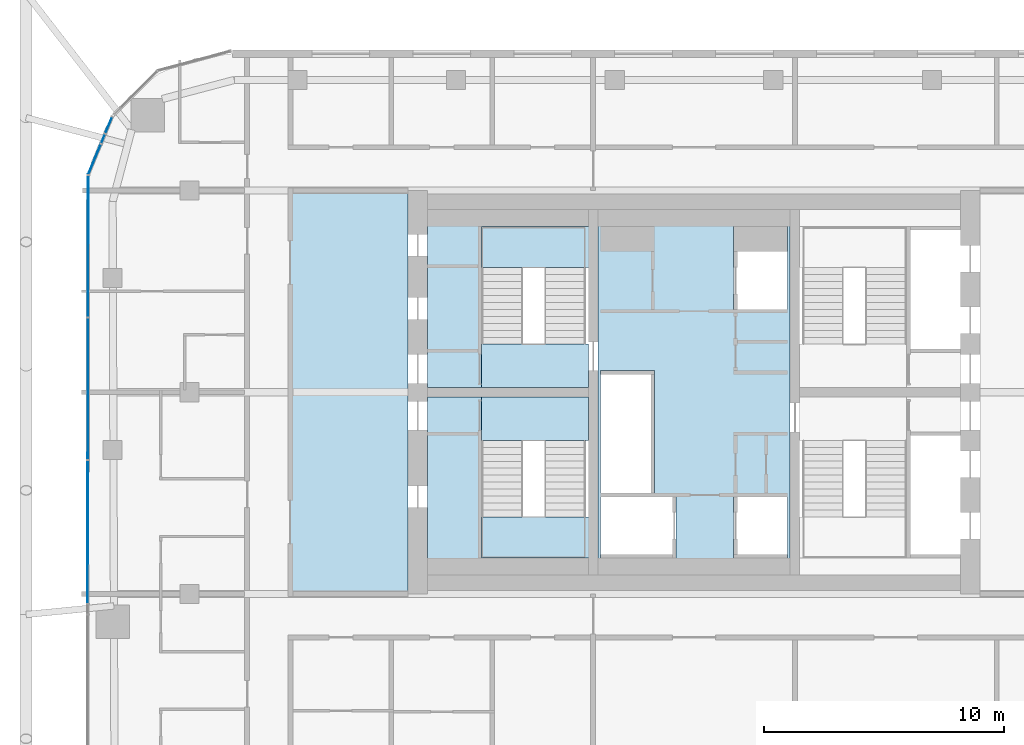
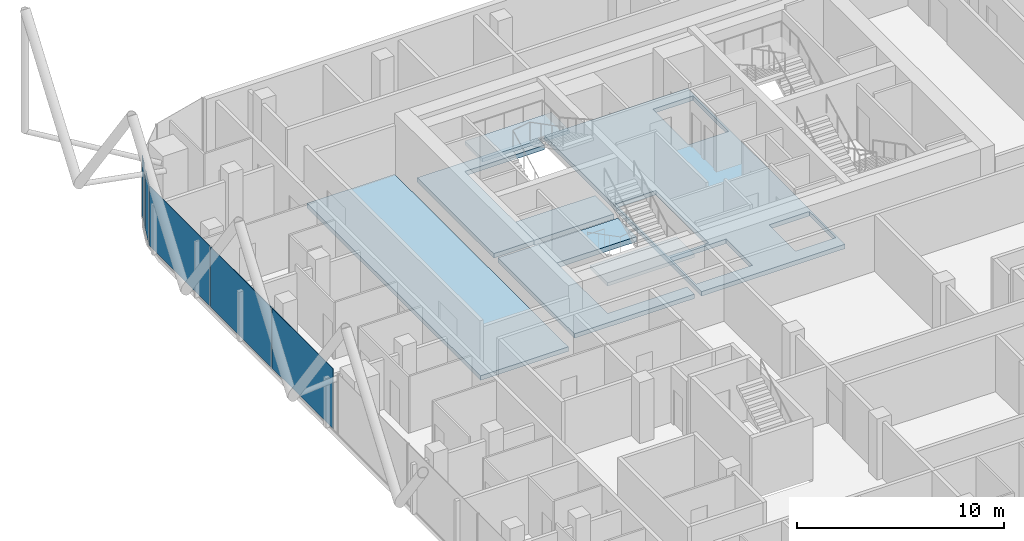
# One storey, part 19 of 31: 8 slabs, 6 plates, 6 elements without a shape of their own.
"""IFC4 building model written with IfcOpenShell, lengths in metres."""

from ifc_helpers import new_model, si_unit, direction, frame, origin, origin_2d, place, context, subcontext, project, spatial, polyline, rectangle, outline, extrude, material, layer, layer_set, type_object, element, aggregate, save


model = new_model("IFC4")

# Units and contexts
model_context = context("Model", 3, precision=1e-05, world=origin(), true_north=direction((0.0, 1.0)))
body_context = subcontext(model_context, "Body", "Model", "MODEL_VIEW")
ifc_project = project(units=[si_unit("LENGTHUNIT", "METRE"), si_unit("AREAUNIT", "SQUARE_METRE"), si_unit("VOLUMEUNIT", "CUBIC_METRE"), si_unit("PLANEANGLEUNIT", "RADIAN"), si_unit("MASSUNIT", "GRAM", prefix="KILO")], contexts=[model_context])

# Site, building, storey
site_placement = place(None, origin())
site = spatial("IfcSite", under=ifc_project, at=site_placement, CompositionType="ELEMENT")
building_placement = place(site_placement, origin())
building = spatial("IfcBuilding", under=site, at=building_placement, Name="Marenta Gate Hotel Tower", CompositionType="ELEMENT")
storey_placement = place(building_placement, frame((0.0, 0.0, 205.699951171875)))
storey = spatial("IfcBuildingStorey", under=building, at=storey_placement, Name="L47", CompositionType="ELEMENT", Elevation=205.699951171875)

# Slabs
ifc_material_1 = material(Name="Concrete C40", Category="concrete")
ifc_layer_1 = layer(ifc_material_1, 0.260009765625)
ifc_layer_set_1 = layer_set([ifc_layer_1], Name="Concrete C40")
slab_type_1 = type_object("IfcSlabType", Name="Core floor slab 260", PredefinedType="FLOOR", material=ifc_layer_set_1)
slab_1_placement = place(storey_placement, frame((0.0, 0.0, -0.260009765625)))
element("IfcSlab", 1, at=slab_1_placement, inside=storey, type_object=slab_type_1, Name="L47-CF-4", PredefinedType="FLOOR", context=body_context, shape_type="SweptSolid", body=[
    extrude(outline(polyline([(4.0, 15.300048828125), (4.0, 10.39990234375), (4.0, 6.39990234375), (4.0, 1.5), (4.0, 0.800048828125), (-4.0, 0.800048828125), (-4.0, 1.5), (-4.0, 6.39990234375), (-4.0, 10.39990234375), (-4.0, 15.300048828125), (-4.0, 16.0), (4.0, 16.0), (4.0, 15.300048828125)]), holes=[polyline([(1.64990234375, 14.25), (1.64990234375, 11.85009765625), (1.800048828125, 11.85009765625), (3.89990234375, 11.85009765625), (3.89990234375, 14.25), (3.89990234375, 15.300048828125), (1.64990234375, 15.300048828125), (1.64990234375, 14.25)]), polyline([(3.89990234375, 1.64990234375), (3.89990234375, 4.050048828125), (1.800048828125, 4.050048828125), (1.64990234375, 4.050048828125), (1.64990234375, 1.64990234375), (1.64990234375, 1.5), (3.89990234375, 1.5), (3.89990234375, 1.64990234375)]), polyline([(-3.89990234375, 1.64990234375), (-3.89990234375, 1.5), (-0.89990234375, 1.5), (-0.75, 1.5), (-0.75, 4.050048828125), (-0.89990234375, 4.050048828125), (-3.89990234375, 4.050048828125), (-3.89990234375, 1.64990234375)]), polyline([(-1.800048828125, 4.199951171875), (-1.64990234375, 4.199951171875), (-1.64990234375, 9.14990234375), (-1.64990234375, 9.300048828125), (-3.89990234375, 9.300048828125), (-3.89990234375, 9.14990234375), (-3.89990234375, 6.75), (-3.89990234375, 6.60009765625), (-3.89990234375, 4.199951171875), (-1.800048828125, 4.199951171875)])]), origin(), (0.0, 0.0, 1.0), 0.260009765625),
])
slab_2_placement = place(storey_placement, frame((0.0, 0.0, -0.260009765625)))
element("IfcSlab", 2, at=slab_2_placement, inside=storey, type_object=slab_type_1, Name="L47-CF-5", PredefinedType="FLOOR", context=body_context, shape_type="SweptSolid", body=[
    extrude(outline(polyline([(-8.85009765625, 8.199951171875), (-8.85009765625, 8.10009765625), (-8.85009765625, 6.39990234375), (-8.85009765625, 1.5), (-4.39990234375, 1.5), (-4.39990234375, 0.800048828125), (-11.10009765625, 0.800048828125), (-11.10009765625, 8.199951171875), (-8.85009765625, 8.199951171875)])), origin(), (0.0, 0.0, 1.0), 0.260009765625),
])
slab_3_placement = place(storey_placement, frame((0.0, 0.0, -0.260009765625)))
element("IfcSlab", 3, at=slab_3_placement, inside=storey, type_object=slab_type_1, Name="L47-CF-6", PredefinedType="FLOOR", context=body_context, shape_type="SweptSolid", body=[
    extrude(outline(polyline([(-4.39990234375, 15.300048828125), (-8.85009765625, 15.300048828125), (-8.85009765625, 10.39990234375), (-8.85009765625, 8.699951171875), (-8.85009765625, 8.60009765625), (-11.10009765625, 8.60009765625), (-11.10009765625, 16.0), (-4.39990234375, 16.0), (-4.39990234375, 15.300048828125)])), origin(), (0.0, 0.0, 1.0), 0.260009765625),
])
slab_4_placement = place(storey_placement, frame((0.0, 0.0, -0.260009765625)))
element("IfcSlab", 4, at=slab_4_placement, inside=storey, type_object=slab_type_1, Name="L47-CF-7", PredefinedType="FLOOR", context=body_context, shape_type="SweptSolid", body=[
    extrude(outline(polyline([(-11.89990234375, 16.800048828125), (-11.89990234375, 0.0), (-16.800048828125, 0.0), (-16.800048828125, 16.800048828125), (-11.89990234375, 16.800048828125)])), origin(), (0.0, 0.0, 1.0), 0.260009765625),
])

# Stair, slab
ifc_material_2 = material(Name="Concrete C40", Category="concrete")
stair_type = type_object("IfcStairType", Name="Core exit stair 1700 wide", PredefinedType="HALF_TURN_STAIR", material=ifc_material_2)
stair_1_placement = place(storey_placement, origin())
stair_1 = element("IfcStair", 5, at=stair_1_placement, inside=storey, type_object=stair_type, Name="Exit stair 1", PredefinedType="HALF_TURN_STAIR")
ifc_material_3 = material(Name="Concrete C40", Category="concrete")
ifc_layer_2 = layer(ifc_material_3, 0.199951171875)
ifc_layer_set_2 = layer_set([ifc_layer_2], Name="Concrete C40")
slab_type_2 = type_object("IfcSlabType", Name="Core stair landing 200", PredefinedType="LANDING", material=ifc_layer_set_2)
slab_5_placement = place(storey_placement, frame((0.0, 0.0, 1.60009765625)))
slab_5 = element("IfcSlab", 6, at=slab_5_placement, type_object=slab_type_2, Name="SL-200 ST1 landing 1", PredefinedType="LANDING", context=body_context, shape_type="SweptSolid", body=[
    extrude(outline(polyline([(-8.85009765625, 1.5), (-4.0, 1.5), (-4.0, 3.2099609375), (-8.85009765625, 3.2099609375), (-8.85009765625, 1.5)])), origin(), (0.0, 0.0, 1.0), 0.199951171875),
])
aggregate(stair_1, [slab_5])

stair_2_placement = place(storey_placement, origin())
stair_2 = element("IfcStair", 7, at=stair_2_placement, inside=storey, type_object=stair_type, Name="Exit stair 2", PredefinedType="HALF_TURN_STAIR")
slab_6_placement = place(storey_placement, frame((0.0, 0.0, 1.60009765625)))
slab_6 = element("IfcSlab", 8, at=slab_6_placement, type_object=slab_type_2, Name="SL-200 ST2 landing 1", PredefinedType="LANDING", context=body_context, shape_type="SweptSolid", body=[
    extrude(outline(polyline([(-8.85009765625, 13.590087890625), (-4.0, 13.590087890625), (-4.0, 15.300048828125), (-8.85009765625, 15.300048828125), (-8.85009765625, 13.590087890625)])), origin(), (0.0, 0.0, 1.0), 0.199951171875),
])
aggregate(stair_2, [slab_6])

# Curtain wall, plate
ifc_material_4 = material(Name="Tinted insulated glass in bronze anodised frame", Category="glass")
ifc_layer_3 = layer(ifc_material_4, 0.1201171875)
ifc_layer_set_3 = layer_set([ifc_layer_3], Name="Tinted insulated glass in bronze anodised frame")
curtain_wall_type = type_object("IfcCurtainWallType", Name="Tower unitised curtain wall CW1", PredefinedType="NOTDEFINED", material=ifc_layer_set_3)
curtain_wall_1_placement = place(storey_placement, origin())
curtain_wall_1 = element("IfcCurtainWall", 9, at=curtain_wall_1_placement, inside=storey, type_object=curtain_wall_type, Name="CW1 run G03", PredefinedType="NOTDEFINED")
ifc_material_5 = material(Name="Tinted insulated glass", Category="glass")
ifc_layer_4 = layer(ifc_material_5, 0.028076171875)
ifc_layer_set_4 = layer_set([ifc_layer_4], Name="Tinted insulated glass")
plate_type = type_object("IfcPlateType", Name="Glass panel CW1 28 mm tinted insulated unit", PredefinedType="CURTAIN_PANEL", material=ifc_layer_set_4)
plate_1_placement = place(storey_placement, frame((-24.3623046875, 19.5185546875, 0.06005859375), z_axis=(0.0, 0.0, 1.0), x_axis=(-0.382711777204, -0.923867791185, 0.0)))
plate_1 = element("IfcPlate", 10, at=plate_1_placement, type_object=plate_type, Name="CW1 panel 1.1", PredefinedType="CURTAIN_PANEL", context=body_context, shape_type="SweptSolid", body=[
    extrude(rectangle(XDim=0.708740234375, YDim=0.028076171875, at=origin_2d()), origin(), (0.0, 0.0, 1.0), 3.5400390625),
])
aggregate(curtain_wall_1, [plate_1])

curtain_wall_2_placement = place(storey_placement, origin())
curtain_wall_2 = element("IfcCurtainWall", 11, at=curtain_wall_2_placement, inside=storey, type_object=curtain_wall_type, Name="CW1 run G04", PredefinedType="NOTDEFINED")
plate_2_placement = place(storey_placement, frame((-24.5966796875, 18.9521484375, 0.06005859375), z_axis=(0.0, 0.0, 1.0), x_axis=(-0.382641626167, -0.923896848097, 0.0)))
plate_2 = element("IfcPlate", 12, at=plate_2_placement, type_object=plate_type, Name="CW1 panel 1.1", PredefinedType="CURTAIN_PANEL", context=body_context, shape_type="SweptSolid", body=[
    extrude(rectangle(XDim=0.397216796875, YDim=0.028076171875, at=origin_2d()), origin(), (0.0, 0.0, 1.0), 2.9404296875),
])
aggregate(curtain_wall_2, [plate_2])

curtain_wall_3_placement = place(storey_placement, origin())
curtain_wall_3 = element("IfcCurtainWall", 13, at=curtain_wall_3_placement, inside=storey, type_object=curtain_wall_type, Name="CW1 run G05", PredefinedType="NOTDEFINED")
plate_3_placement = place(storey_placement, frame((-24.9541015625, 18.08984375, 0.06005859375), z_axis=(0.0, 0.0, 1.0), x_axis=(-0.382650385627, -0.923893220226, 0.0)))
plate_3 = element("IfcPlate", 14, at=plate_3_placement, type_object=plate_type, Name="CW1 panel 1.1", PredefinedType="CURTAIN_PANEL", context=body_context, shape_type="SweptSolid", body=[
    extrude(rectangle(XDim=1.349853515625, YDim=0.028076171875, at=origin_2d()), origin(), (0.0, 0.0, 1.0), 3.5400390625),
])
aggregate(curtain_wall_3, [plate_3])

# Curtain wall, plates
curtain_wall_4_placement = place(storey_placement, origin())
curtain_wall_4 = element("IfcCurtainWall", 15, at=curtain_wall_4_placement, inside=storey, type_object=curtain_wall_type, Name="CW1 run G06", PredefinedType="NOTDEFINED")
plate_4_placement = place(storey_placement, frame((-25.217041015625, 14.478515625, 0.06005859375), z_axis=(0.0, 0.0, 1.0), x_axis=(-0.001569803969, -0.999998767857, 0.0)))
plate_4 = element("IfcPlate", 16, at=plate_4_placement, type_object=plate_type, Name="CW1 panel 1.1", PredefinedType="CURTAIN_PANEL", context=body_context, shape_type="SweptSolid", body=[
    extrude(rectangle(XDim=5.85546875, YDim=0.028076171875, at=origin_2d()), origin(), (0.0, 0.0, 1.0), 3.5400390625),
])
plate_5_placement = place(storey_placement, frame((-25.226318359375, 8.5478515625, 0.06005859375), z_axis=(0.0, 0.0, 1.0), x_axis=(-0.001569803969, -0.999998767857, 0.0)))
plate_5 = element("IfcPlate", 17, at=plate_5_placement, type_object=plate_type, Name="CW1 panel 2.1", PredefinedType="CURTAIN_PANEL", context=body_context, shape_type="SweptSolid", body=[
    extrude(rectangle(XDim=5.885498046875, YDim=0.028076171875, at=origin_2d()), origin(), (0.0, 0.0, 1.0), 3.5400390625),
])
plate_6_placement = place(storey_placement, frame((-25.235595703125, 2.58740234375, 0.06005859375), z_axis=(0.0, 0.0, 1.0), x_axis=(-0.001569803969, -0.999998767857, 0.0)))
plate_6 = element("IfcPlate", 18, at=plate_6_placement, type_object=plate_type, Name="CW1 panel 3.1", PredefinedType="CURTAIN_PANEL", context=body_context, shape_type="SweptSolid", body=[
    extrude(rectangle(XDim=5.91552734375, YDim=0.028076171875, at=origin_2d()), origin(), (0.0, 0.0, 1.0), 3.5400390625),
])
aggregate(curtain_wall_4, [plate_4, plate_5, plate_6])

# Slabs
ifc_material_6 = material(Name="Concrete C40", Category="concrete")
ifc_layer_5 = layer(ifc_material_6, 0.300048828125)
ifc_layer_set_5 = layer_set([ifc_layer_5], Name="Concrete C40")
slab_type_3 = type_object("IfcSlabType", Name="Stair floor landing slab 300", PredefinedType="FLOOR", material=ifc_layer_set_5)
slab_7_placement = place(storey_placement, frame((0.0, 0.0, -0.300048828125)))
element("IfcSlab", 19, at=slab_7_placement, inside=storey, type_object=slab_type_3, Name="L47-CL-ST1-1", PredefinedType="FLOOR", context=body_context, shape_type="SweptSolid", body=[
    extrude(outline(polyline([(-4.39990234375, 6.39990234375), (-8.85009765625, 6.39990234375), (-8.85009765625, 8.10009765625), (-8.85009765625, 8.199951171875), (-4.39990234375, 8.199951171875), (-4.39990234375, 6.39990234375)])), origin(), (0.0, 0.0, 1.0), 0.300048828125),
])
slab_8_placement = place(storey_placement, frame((0.0, 0.0, -0.300048828125)))
element("IfcSlab", 20, at=slab_8_placement, inside=storey, type_object=slab_type_3, Name="L47-CL-ST2-1", PredefinedType="FLOOR", context=body_context, shape_type="SweptSolid", body=[
    extrude(outline(polyline([(-4.39990234375, 8.60009765625), (-8.85009765625, 8.60009765625), (-8.85009765625, 8.699951171875), (-8.85009765625, 10.39990234375), (-4.39990234375, 10.39990234375), (-4.39990234375, 8.60009765625)])), origin(), (0.0, 0.0, 1.0), 0.300048828125),
])

save(model, "model.ifc")
